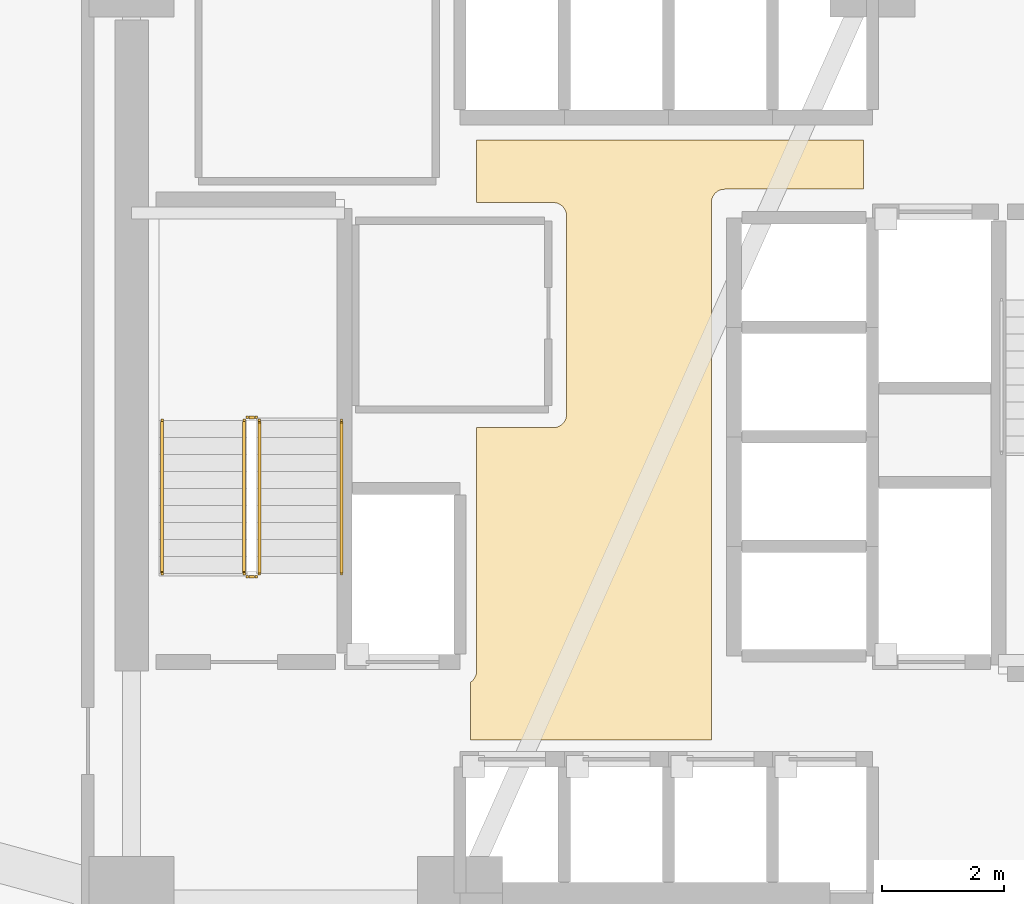
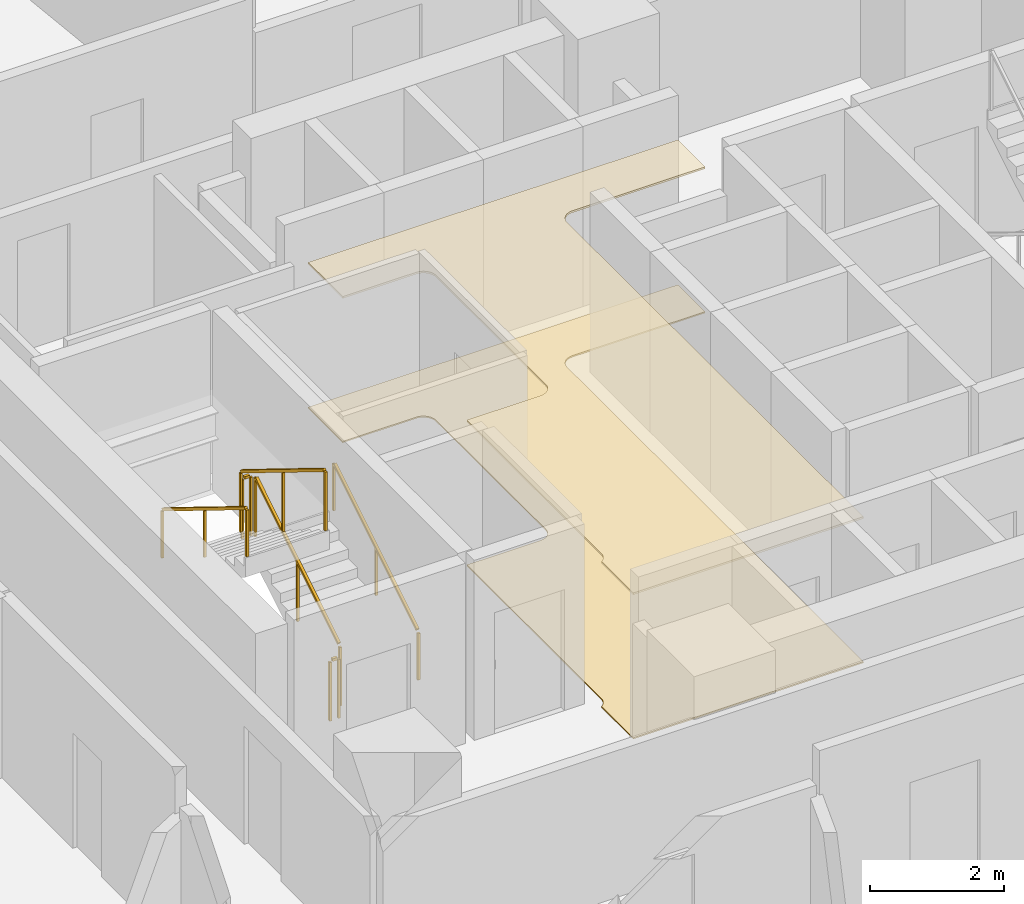
# One storey, part 16 of 19: 6 railings, 2 coverings.
"""IFC4 building model written with IfcOpenShell, lengths in metres."""

from ifc_helpers import new_model, si_unit, direction, frame, origin, origin_2d, place, context, subcontext, project, spatial, polyline, rectangle, outline, extrude, material, layer, layer_set, type_object, element, save


model = new_model("IFC4")

# Units and contexts
model_context = context("Model", 3, precision=1e-05, world=origin(), true_north=direction((0.0, 1.0)))
body_context = subcontext(model_context, "Body", "Model", "MODEL_VIEW")
ifc_project = project(units=[si_unit("LENGTHUNIT", "METRE"), si_unit("AREAUNIT", "SQUARE_METRE"), si_unit("VOLUMEUNIT", "CUBIC_METRE"), si_unit("PLANEANGLEUNIT", "RADIAN"), si_unit("MASSUNIT", "GRAM", prefix="KILO")], contexts=[model_context])

# Site, building, storey
site_placement = place(None, origin())
site = spatial("IfcSite", under=ifc_project, at=site_placement, CompositionType="ELEMENT")
building_placement = place(site_placement, origin())
building = spatial("IfcBuilding", under=site, at=building_placement, Name="Tharavind Bronze Gate", CompositionType="ELEMENT")
storey_placement = place(building_placement, frame((0.0, 0.0, 31.800048828125)))
storey = spatial("IfcBuildingStorey", under=building, at=storey_placement, Name="L06", CompositionType="ELEMENT", Elevation=31.800048828125)

# Coverings
ifc_material_1 = material(Name="Perforated Bronze Acoustic Panel", Category="bronze")
ifc_layer_1 = layer(ifc_material_1, 0.044921875)
ifc_layer_set_1 = layer_set([ifc_layer_1], Name="Perforated Bronze Acoustic Panel")
covering_type_1 = type_object("IfcCoveringType", Name="ACOUSTIC BRONZE BAFFLE CEILING", PredefinedType="CEILING", material=ifc_layer_set_1)
covering_1_placement = place(storey_placement, frame((0.0, 0.0, 2.625)))
element("IfcCovering", 1, at=covering_1_placement, inside=storey, type_object=covering_type_1, Name="L06-C-LL suspended ceiling", PredefinedType="CEILING", context=body_context, shape_type="SweptSolid", body=[
    extrude(outline(polyline([(-3.330078125, -4.97998046875), (0.6298828125, -4.97998046875), (0.6298828125, 3.85009765625), (0.631103515625, 3.87158203125), (0.63427734375, 3.892822265625), (0.639404296875, 3.913818359375), (0.646728515625, 3.93408203125), (0.656005859375, 3.95361328125), (0.6669921875, 3.97216796875), (0.679931640625, 3.989501953125), (0.6943359375, 4.005615234375), (0.71044921875, 4.02001953125), (0.727783203125, 4.032958984375), (0.746337890625, 4.0439453125), (0.765869140625, 4.05322265625), (0.7861328125, 4.060546875), (0.80712890625, 4.06591796875), (0.828369140625, 4.06884765625), (0.85009765625, 4.070068359375), (3.1298828125, 4.070068359375), (3.1298828125, 4.8798828125), (-3.22998046875, 4.8798828125), (-3.22998046875, 3.85009765625), (-1.969970703125, 3.85009765625), (-1.948486328125, 3.848876953125), (-1.927001953125, 3.845703125), (-1.906005859375, 3.840576171875), (-1.8857421875, 3.833251953125), (-1.8662109375, 3.823974609375), (-1.847900390625, 3.81298828125), (-1.830322265625, 3.800048828125), (-1.814453125, 3.78564453125), (-1.7998046875, 3.76953125), (-1.787109375, 3.752197265625), (-1.77587890625, 3.733642578125), (-1.7666015625, 3.714111328125), (-1.759521484375, 3.69384765625), (-1.754150390625, 3.6728515625), (-1.751220703125, 3.651611328125), (-1.75, 3.6298828125), (-1.75, 0.3701171875), (-1.751220703125, 0.348388671875), (-1.754150390625, 0.3271484375), (-1.759521484375, 0.30615234375), (-1.7666015625, 0.285888671875), (-1.77587890625, 0.266357421875), (-1.787109375, 0.247802734375), (-1.7998046875, 0.23046875), (-1.814453125, 0.21435546875), (-1.830322265625, 0.199951171875), (-1.847900390625, 0.18701171875), (-1.8662109375, 0.176025390625), (-1.8857421875, 0.166748046875), (-1.906005859375, 0.159423828125), (-1.927001953125, 0.154296875), (-1.948486328125, 0.151123046875), (-1.969970703125, 0.14990234375), (-3.22998046875, 0.14990234375), (-3.22998046875, -3.85009765625), (-3.231201171875, -3.87158203125), (-3.234130859375, -3.892822265625), (-3.239501953125, -3.913818359375), (-3.24658203125, -3.93408203125), (-3.256103515625, -3.95361328125), (-3.26708984375, -3.97216796875), (-3.27978515625, -3.989501953125), (-3.29443359375, -4.005615234375), (-3.310302734375, -4.02001953125), (-3.327880859375, -4.032958984375), (-3.330078125, -4.0341796875), (-3.330078125, -4.97998046875)])), origin(), (0.0, 0.0, 1.0), 0.034912109375),
])
ifc_material_2 = material(Name="Honed Travertine Limestone", Category="masonry")
ifc_layer_2 = layer(ifc_material_2, 0.030029296875)
ifc_layer_set_2 = layer_set([ifc_layer_2], Name="Honed Travertine Limestone")
covering_type_2 = type_object("IfcCoveringType", Name="HONED LIMESTONE FLOORING", PredefinedType="FLOORING", material=ifc_layer_set_2)
covering_2_placement = place(storey_placement, origin())
element("IfcCovering", 2, at=covering_2_placement, inside=storey, type_object=covering_type_2, Name="L06-C-LL floor finish", PredefinedType="FLOORING", context=body_context, shape_type="SweptSolid", body=[
    extrude(outline(polyline([(-3.330078125, -4.97998046875), (0.6298828125, -4.97998046875), (0.6298828125, 3.85009765625), (0.631103515625, 3.87158203125), (0.63427734375, 3.892822265625), (0.639404296875, 3.913818359375), (0.646728515625, 3.93408203125), (0.656005859375, 3.95361328125), (0.6669921875, 3.97216796875), (0.679931640625, 3.989501953125), (0.6943359375, 4.005615234375), (0.71044921875, 4.02001953125), (0.727783203125, 4.032958984375), (0.746337890625, 4.0439453125), (0.765869140625, 4.05322265625), (0.7861328125, 4.060546875), (0.80712890625, 4.06591796875), (0.828369140625, 4.06884765625), (0.85009765625, 4.070068359375), (3.1298828125, 4.070068359375), (3.1298828125, 4.8798828125), (-3.22998046875, 4.8798828125), (-3.22998046875, 3.85009765625), (-1.969970703125, 3.85009765625), (-1.948486328125, 3.848876953125), (-1.927001953125, 3.845703125), (-1.906005859375, 3.840576171875), (-1.8857421875, 3.833251953125), (-1.8662109375, 3.823974609375), (-1.847900390625, 3.81298828125), (-1.830322265625, 3.800048828125), (-1.814453125, 3.78564453125), (-1.7998046875, 3.76953125), (-1.787109375, 3.752197265625), (-1.77587890625, 3.733642578125), (-1.7666015625, 3.714111328125), (-1.759521484375, 3.69384765625), (-1.754150390625, 3.6728515625), (-1.751220703125, 3.651611328125), (-1.75, 3.6298828125), (-1.75, 0.3701171875), (-1.751220703125, 0.348388671875), (-1.754150390625, 0.3271484375), (-1.759521484375, 0.30615234375), (-1.7666015625, 0.285888671875), (-1.77587890625, 0.266357421875), (-1.787109375, 0.247802734375), (-1.7998046875, 0.23046875), (-1.814453125, 0.21435546875), (-1.830322265625, 0.199951171875), (-1.847900390625, 0.18701171875), (-1.8662109375, 0.176025390625), (-1.8857421875, 0.166748046875), (-1.906005859375, 0.159423828125), (-1.927001953125, 0.154296875), (-1.948486328125, 0.151123046875), (-1.969970703125, 0.14990234375), (-3.22998046875, 0.14990234375), (-3.22998046875, -3.85009765625), (-3.231201171875, -3.87158203125), (-3.234130859375, -3.892822265625), (-3.239501953125, -3.913818359375), (-3.24658203125, -3.93408203125), (-3.256103515625, -3.95361328125), (-3.26708984375, -3.97216796875), (-3.27978515625, -3.989501953125), (-3.29443359375, -4.005615234375), (-3.310302734375, -4.02001953125), (-3.327880859375, -4.032958984375), (-3.330078125, -4.0341796875), (-3.330078125, -4.97998046875)])), origin(), (0.0, 0.0, 1.0), 0.02490234375),
])

# Railings
ifc_material_3 = material(Name="Brushed Bronze Alloy", Category="metal")
railing_type_1 = type_object("IfcRailingType", Name="STAIR BRONZE HANDRAIL 900", PredefinedType="HANDRAIL", material=ifc_material_3)
railing_1_placement = place(storey_placement, frame((-5.449951171875, -2.25, 0.17236328125)))
element("IfcRailing", 3, at=railing_1_placement, inside=storey, type_object=railing_type_1, Name="L06 ST1 stair handrail 1", PredefinedType="HANDRAIL", context=body_context, shape_type="SweptSolid", body=[
    extrude(rectangle(XDim=0.048095703125, YDim=0.048095703125, at=origin_2d()), frame((0.0, 0.02734375, 0.892578125), z_axis=(0.0, 0.851400495292, 0.524516154772), x_axis=(-1.0, 0.0, 0.0)), (0.0, 0.0, 1.0), 2.895751953125),
    extrude(rectangle(XDim=0.0400390625, YDim=0.0400390625, at=origin_2d()), origin(), (0.0, 0.0, 1.0), 0.847900390625),
    extrude(rectangle(XDim=0.0400390625, YDim=0.0400390625, at=origin_2d()), frame((0.0, 1.260009765625, 0.7763671875)), (0.0, 0.0, 1.0), 0.847900390625),
    extrude(rectangle(XDim=0.0400390625, YDim=0.0400390625, at=origin_2d()), frame((0.0, 2.52001953125, 1.552490234375)), (0.0, 0.0, 1.0), 0.847900390625),
])
railing_2_placement = place(storey_placement, frame((-8.39990234375, 0.27001953125, 1.8974609375)))
element("IfcRailing", 4, at=railing_2_placement, inside=storey, type_object=railing_type_1, Name="L06 ST1 stair handrail 2", PredefinedType="HANDRAIL", context=body_context, shape_type="SweptSolid", body=[
    extrude(rectangle(XDim=0.048095703125, YDim=0.048095703125, at=origin_2d()), frame((0.0, -0.02734375, 0.892578125), z_axis=(0.0, -0.851400495292, 0.524516154772), x_axis=(1.0, 0.0, 0.0)), (0.0, 0.0, 1.0), 2.895751953125),
    extrude(rectangle(XDim=0.0400390625, YDim=0.0400390625, at=origin_2d()), origin(), (0.0, 0.0, 1.0), 0.847900390625),
    extrude(rectangle(XDim=0.0400390625, YDim=0.0400390625, at=origin_2d()), frame((0.0, -1.260009765625, 0.7763671875)), (0.0, 0.0, 1.0), 0.847900390625),
    extrude(rectangle(XDim=0.0400390625, YDim=0.0400390625, at=origin_2d()), frame((0.0, -2.52001953125, 1.552490234375)), (0.0, 0.0, 1.0), 0.847900390625),
])
railing_type_2 = type_object("IfcRailingType", Name="STAIR WELL GUARD RAILING 1120", PredefinedType="GUARDRAIL", material=ifc_material_3)
railing_3_placement = place(storey_placement, frame((-6.800048828125, -2.25, 0.17236328125)))
element("IfcRailing", 5, at=railing_3_placement, inside=storey, type_object=railing_type_2, Name="L06 ST1 stair guard 1", PredefinedType="GUARDRAIL", context=body_context, shape_type="SweptSolid", body=[
    extrude(rectangle(XDim=0.048095703125, YDim=0.048095703125, at=origin_2d()), frame((0.0, 0.02734375, 1.11279296875), z_axis=(0.0, 0.851400495292, 0.524516154772), x_axis=(-1.0, 0.0, 0.0)), (0.0, 0.0, 1.0), 2.895751953125),
    extrude(rectangle(XDim=0.0400390625, YDim=0.0400390625, at=origin_2d()), origin(), (0.0, 0.0, 1.0), 1.068115234375),
    extrude(rectangle(XDim=0.0400390625, YDim=0.0400390625, at=origin_2d()), frame((0.0, 1.260009765625, 0.7763671875)), (0.0, 0.0, 1.0), 1.068115234375),
    extrude(rectangle(XDim=0.0400390625, YDim=0.0400390625, at=origin_2d()), frame((0.0, 2.52001953125, 1.552490234375)), (0.0, 0.0, 1.0), 1.068115234375),
])
railing_4_placement = place(storey_placement, frame((-6.85009765625, 0.320068359375, 1.724853515625)))
element("IfcRailing", 6, at=railing_4_placement, inside=storey, type_object=railing_type_2, Name="L06 ST1 stair guard 2", PredefinedType="GUARDRAIL", context=body_context, shape_type="SweptSolid", body=[
    extrude(rectangle(XDim=0.048095703125, YDim=0.048095703125, at=origin_2d()), frame((-0.031982421875, 0.0, 1.09619140625), z_axis=(-1.0, 0.0, 0.0), x_axis=(0.0, -1.0, 0.0)), (0.0, 0.0, 1.0), 0.0859375),
    extrude(rectangle(XDim=0.0400390625, YDim=0.0400390625, at=origin_2d()), origin(), (0.0, 0.0, 1.0), 1.068115234375),
    extrude(rectangle(XDim=0.0400390625, YDim=0.0400390625, at=origin_2d()), frame((-0.14990234375, 0.0, 0.0)), (0.0, 0.0, 1.0), 1.068115234375),
])
railing_5_placement = place(storey_placement, frame((-7.050048828125, 0.27001953125, 1.8974609375)))
element("IfcRailing", 7, at=railing_5_placement, inside=storey, type_object=railing_type_2, Name="L06 ST1 stair guard 3", PredefinedType="GUARDRAIL", context=body_context, shape_type="SweptSolid", body=[
    extrude(rectangle(XDim=0.048095703125, YDim=0.048095703125, at=origin_2d()), frame((0.0, -0.02734375, 1.11279296875), z_axis=(0.0, -0.851400495292, 0.524516154772), x_axis=(1.0, 0.0, 0.0)), (0.0, 0.0, 1.0), 2.895751953125),
    extrude(rectangle(XDim=0.0400390625, YDim=0.0400390625, at=origin_2d()), origin(), (0.0, 0.0, 1.0), 1.068115234375),
    extrude(rectangle(XDim=0.0400390625, YDim=0.0400390625, at=origin_2d()), frame((0.0, -1.260009765625, 0.7763671875)), (0.0, 0.0, 1.0), 1.068115234375),
    extrude(rectangle(XDim=0.0400390625, YDim=0.0400390625, at=origin_2d()), frame((0.0, -2.52001953125, 1.552490234375)), (0.0, 0.0, 1.0), 1.068115234375),
])
railing_6_placement = place(storey_placement, frame((-6.85009765625, -2.300048828125, 0.0)))
element("IfcRailing", 8, at=railing_6_placement, inside=storey, type_object=railing_type_2, Name="L06 ST1 stair guard 4", PredefinedType="GUARDRAIL", context=body_context, shape_type="SweptSolid", body=[
    extrude(rectangle(XDim=0.048095703125, YDim=0.048095703125, at=origin_2d()), frame((-0.031982421875, 0.0, 1.09619140625), z_axis=(-1.0, 0.0, 0.0), x_axis=(0.0, -1.0, 0.0)), (0.0, 0.0, 1.0), 0.0859375),
    extrude(rectangle(XDim=0.0400390625, YDim=0.0400390625, at=origin_2d()), origin(), (0.0, 0.0, 1.0), 1.068115234375),
    extrude(rectangle(XDim=0.0400390625, YDim=0.0400390625, at=origin_2d()), frame((-0.14990234375, 0.0, 0.0)), (0.0, 0.0, 1.0), 1.068115234375),
])

save(model, "model.ifc")
